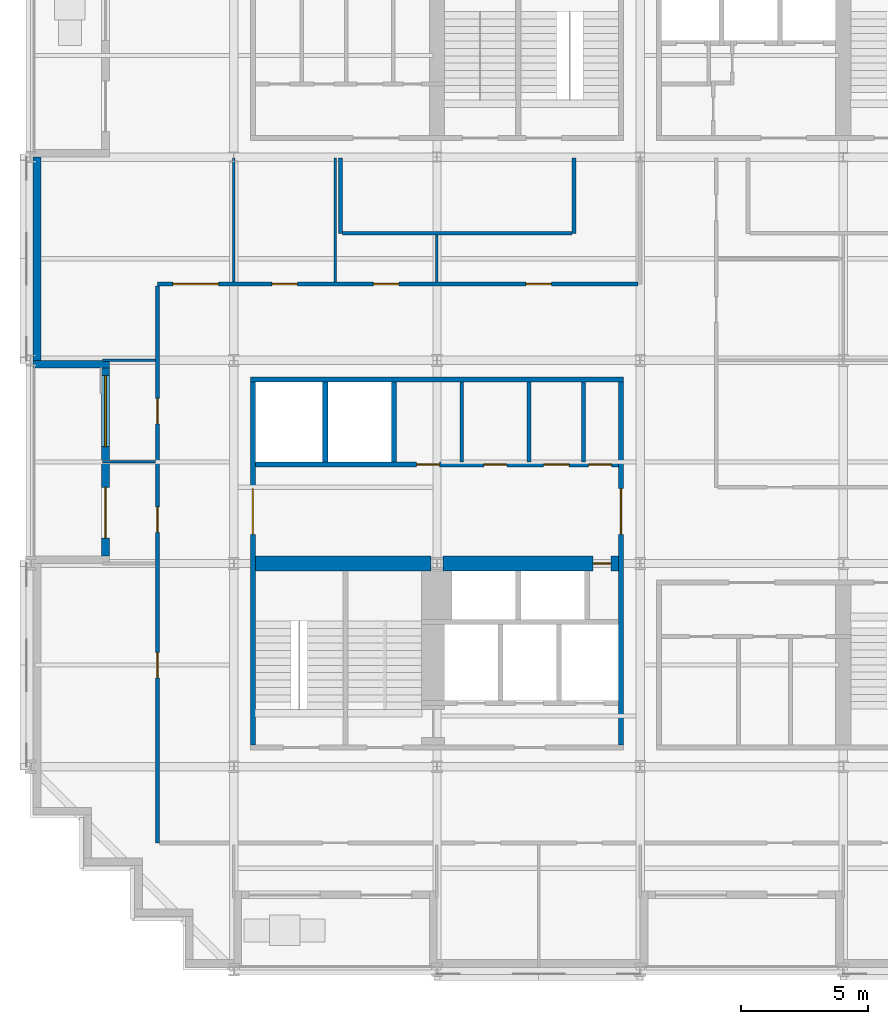
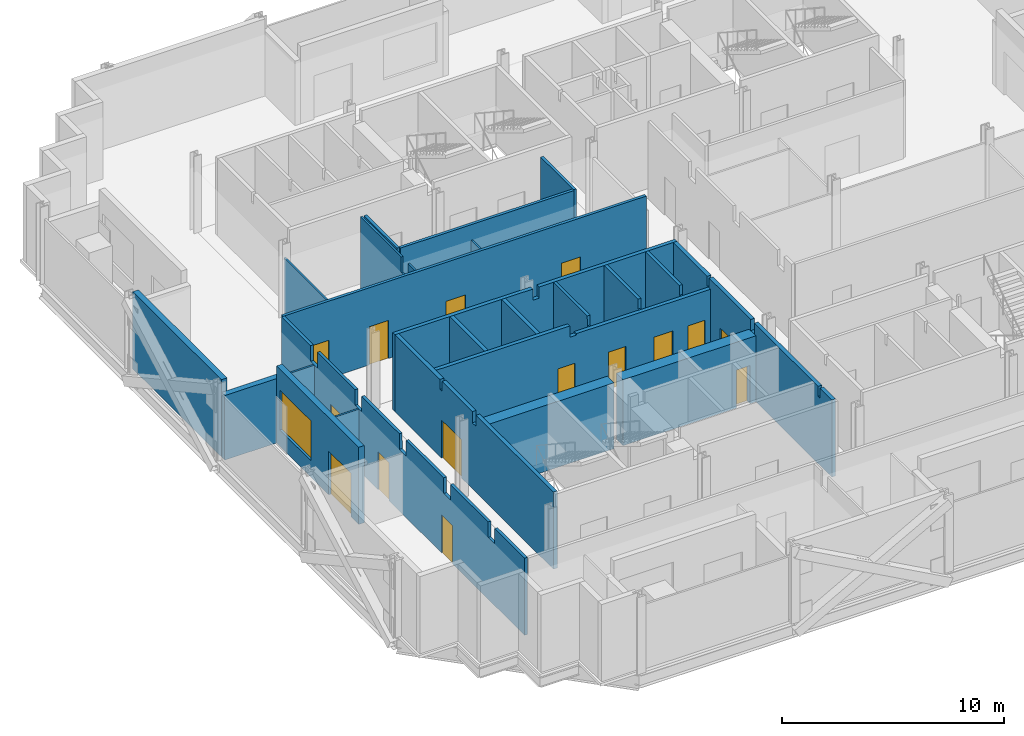
# One storey, part 6 of 13: 24 walls, 15 doors, 1 window, 16 openings.
"""IFC4 building model written with IfcOpenShell, lengths in metres."""

from ifc_helpers import new_model, si_unit, direction, frame, frame_2d, origin, place, context, subcontext, project, spatial, polyline, rectangle, outline, extrude, material, layer, layer_set, type_object, element, fill, save


model = new_model("IFC4")

# Units and contexts
model_context = context("Model", 3, precision=1e-05, world=origin(), true_north=direction((0.0, 1.0)))
body_context = subcontext(model_context, "Body", "Model", "MODEL_VIEW")
ifc_project = project(units=[si_unit("LENGTHUNIT", "METRE"), si_unit("AREAUNIT", "SQUARE_METRE"), si_unit("VOLUMEUNIT", "CUBIC_METRE"), si_unit("PLANEANGLEUNIT", "RADIAN"), si_unit("MASSUNIT", "GRAM", prefix="KILO")], contexts=[model_context])

# Site, building, storey
site_placement = place(None, origin())
site = spatial("IfcSite", under=ifc_project, at=site_placement, CompositionType="ELEMENT")
building_placement = place(site_placement, origin())
building = spatial("IfcBuilding", under=site, at=building_placement, Name="Immortelle Media Tower", CompositionType="ELEMENT")
storey_placement = place(building_placement, frame((0.0, 0.0, 56.800048828125)))
storey = spatial("IfcBuildingStorey", under=building, at=storey_placement, Name="L09", CompositionType="ELEMENT", Elevation=56.800048828125)

# Wall, opening, door
ifc_material_1 = material(Name="Fire-rated masonry blockwork", Category="masonry")
ifc_layer_1 = layer(ifc_material_1, 0.60009765625)
ifc_layer_set_1 = layer_set([ifc_layer_1], Name="Fire-rated masonry blockwork")
wall_type_1 = type_object("IfcWallType", Name="Core grid-line wall 600", PredefinedType="PARTITIONING", material=ifc_layer_set_1)
wall_1_placement = place(storey_placement, frame((16.237548828125, 16.0, 0.0), z_axis=(0.0, 0.0, 1.0), x_axis=(1.0, 0.0, 0.0)))
wall_1 = element("IfcWall", 1, at=wall_1_placement, inside=storey, type_object=wall_type_1, Name="Core grid-line wall SW", PredefinedType="PARTITIONING", context=body_context, shape_type="SweptSolid", body=[
    extrude(rectangle(XDim=6.912353515625, YDim=0.60009765625, at=frame_2d((3.4560546875, 0.0))), origin(), (0.0, 0.0, 1.0), 3.6318359375),
])
opening_1_placement = place(wall_1_placement, frame((6.612548828125, 0.0, 0.0), z_axis=(0.0, 0.0, 1.0), x_axis=(-1.0, 0.0, 0.0)))
opening_1 = element("IfcOpeningElement", 2, at=opening_1_placement, cuts=wall_1, Name="Opening N2-K015", PredefinedType="OPENING", context=body_context, shape_type="SweptSolid", body=[
    extrude(rectangle(XDim=0.699951171875, YDim=2.10009765625, at=frame_2d((0.35009765625, 1.050048828125))), frame((0.0, 0.31005859375, 0.0), z_axis=(0.0, -1.0, 0.0), x_axis=(1.0, 0.0, 0.0)), (0.0, 0.0, 1.0), 0.6201171875),
])
ifc_material_2 = material(Name="Galvanised steel door leaf and frame ASTM A653", Category="steel")
door_type_1 = type_object("IfcDoorType", Name="Service door 700 x 2100", OperationType="NOTDEFINED", PredefinedType="NOTDEFINED", material=ifc_material_2)
door_1_placement = place(opening_1_placement, origin())
door_1 = element("IfcDoor", 3, at=door_1_placement, inside=storey, type_object=door_type_1, Name="Service N2-K015", OperationType="SINGLE_SWING_RIGHT", OverallHeight=2.10009765625, OverallWidth=0.699951171875, PredefinedType="NOTDEFINED", context=body_context, shape_type="SweptSolid", body=[
    extrude(rectangle(XDim=0.699951171875, YDim=2.10009765625, at=frame_2d((0.35009765625, 1.050048828125))), frame((0.0, 0.02490234375, 0.0), z_axis=(0.0, -1.0, 0.0), x_axis=(1.0, 0.0, 0.0)), (0.0, 0.0, 1.0), 0.050048828125),
])
fill(opening_1, door_1)

# Walls
ifc_material_3 = material(Name="Fire-rated gypsum board", Category="gypsum")
ifc_layer_2 = layer(ifc_material_3, 0.02490234375)
ifc_material_4 = material(Name="Steel ASTM A653 SS Gr 50 stud frame with mineral wool", Category="steel")
ifc_layer_3 = layer(ifc_material_4, 0.10009765625)
ifc_layer_4 = layer(ifc_material_3, 0.02490234375)
ifc_layer_set_2 = layer_set([ifc_layer_2, ifc_layer_3, ifc_layer_4], Name="Steel ASTM A653 SS Gr 50 stud frame with mineral wool")
wall_type_2 = type_object("IfcWallType", Name="Core partition 150", PredefinedType="PARTITIONING", material=ifc_layer_set_2)
for number, where, z_axis, x_axis, name in (
    (4, (16.97509765625, 20.0, 0.0), (0.0, 0.0, 1.0), (0.0, 1.0, 0.0), "Core partition SW"),
    (5, (19.625, 20.0, 0.0), (0.0, 0.0, 1.0), (0.0, 1.0, 0.0), "Core partition SW"),
    (6, (21.77490234375, 20.0, 0.0), (0.0, 0.0, 1.0), (0.0, 1.0, 0.0), "Core partition SW"),
):
    element("IfcWall", number, at=place(storey_placement, frame(where, z_axis=z_axis, x_axis=x_axis)), inside=storey, type_object=wall_type_2, Name=name, PredefinedType="PARTITIONING", context=body_context, shape_type="SweptSolid", body=[
        extrude(outline(polyline([(0.0, 0.0), (3.14990234375, 0.0), (3.14990234375, 4.25), (0.08837890625, 4.25), (0.08740234375, 3.7080078125), (0.0, 3.7080078125), (0.0, 0.0)])), frame((0.0, 0.074951171875, 0.0), z_axis=(0.0, -1.0, 0.0), x_axis=(1.0, 0.0, 0.0)), (0.0, 0.0, 1.0), 0.14990234375),
    ])
ifc_layer_5 = layer(ifc_material_3, 0.03759765625)
ifc_layer_6 = layer(ifc_material_4, 0.125)
ifc_layer_7 = layer(ifc_material_3, 0.03759765625)
ifc_layer_set_3 = layer_set([ifc_layer_5, ifc_layer_6, ifc_layer_7], Name="Steel ASTM A653 SS Gr 50 stud frame with mineral wool")
wall_type_3 = type_object("IfcWallType", Name="Core shaft wall 200", PredefinedType="PARTITIONING", material=ifc_layer_set_3)
wall_2_placement = place(storey_placement, frame((8.64990234375, 23.25, 0.0), z_axis=(0.0, 0.0, 1.0), x_axis=(1.0, 0.0, 0.0)))
element("IfcWall", 7, at=wall_2_placement, inside=storey, type_object=wall_type_3, Name="Core shaft wall SW", PredefinedType="PARTITIONING", context=body_context, shape_type="SweptSolid", body=[
    extrude(outline(polyline([(0.0, 0.0), (14.7001953125, 0.0), (14.699951171875, 4.25), (7.51708984375, 4.25), (7.51611328125, 3.6318359375), (7.18408203125, 3.6318359375), (7.18310546875, 4.25), (0.0, 4.25), (0.0, 0.0)])), frame((0.0, 0.10009765625, 0.0), z_axis=(0.0, -1.0, 0.0), x_axis=(1.0, 0.0, 0.0)), (0.0, 0.0, 1.0), 0.199951171875),
])

# Wall, openings, doors
wall_3_placement = place(storey_placement, frame((8.85009765625, 19.89990234375, 0.0), z_axis=(0.0, 0.0, 1.0), x_axis=(1.0, 0.0, 0.0)))
wall_3 = element("IfcWall", 8, at=wall_3_placement, inside=storey, type_object=wall_type_3, Name="Core shaft wall SW", PredefinedType="PARTITIONING", context=body_context, shape_type="SweptSolid", body=[
    extrude(outline(polyline([(0.0, 0.0), (14.2998046875, 0.0), (14.300048828125, 3.7080078125), (7.31689453125, 3.7080078125), (7.31591796875, 3.6318359375), (6.98388671875, 3.6318359375), (6.98291015625, 4.25), (0.0, 4.25), (0.0, 0.0)])), frame((0.0, 0.10009765625, 0.0), z_axis=(0.0, -1.0, 0.0), x_axis=(1.0, 0.0, 0.0)), (0.0, 0.0, 1.0), 0.199951171875),
])
opening_2_placement = place(wall_3_placement, frame((6.35009765625, 0.0, 0.0)))
opening_2 = element("IfcOpeningElement", 9, at=opening_2_placement, cuts=wall_3, Name="Opening N2-K040", PredefinedType="OPENING", context=body_context, shape_type="SweptSolid", body=[
    extrude(rectangle(XDim=0.89990234375, YDim=2.10009765625, at=frame_2d((0.449951171875, 1.050048828125))), frame((0.0, 0.10986328125, 0.0), z_axis=(0.0, -1.0, 0.0), x_axis=(1.0, 0.0, 0.0)), (0.0, 0.0, 1.0), 0.219970703125),
])
opening_3_placement = place(wall_3_placement, frame((9.0, 0.0, 0.0)))
opening_3 = element("IfcOpeningElement", 10, at=opening_3_placement, cuts=wall_3, Name="Opening N2-K041", PredefinedType="OPENING", context=body_context, shape_type="SweptSolid", body=[
    extrude(rectangle(XDim=0.89990234375, YDim=2.10009765625, at=frame_2d((0.449951171875, 1.050048828125))), frame((0.0, 0.10986328125, 0.0), z_axis=(0.0, -1.0, 0.0), x_axis=(1.0, 0.0, 0.0)), (0.0, 0.0, 1.0), 0.219970703125),
])
opening_4_placement = place(wall_3_placement, frame((11.35009765625, 0.0, 0.0)))
opening_4 = element("IfcOpeningElement", 11, at=opening_4_placement, cuts=wall_3, Name="Opening N2-K042", PredefinedType="OPENING", context=body_context, shape_type="SweptSolid", body=[
    extrude(rectangle(XDim=1.0, YDim=2.10009765625, at=frame_2d((0.5, 1.050048828125))), frame((0.0, 0.10986328125, 0.0), z_axis=(0.0, -1.0, 0.0), x_axis=(1.0, 0.0, 0.0)), (0.0, 0.0, 1.0), 0.219970703125),
])
opening_5_placement = place(wall_3_placement, frame((13.125, 0.0, 0.0)))
opening_5 = element("IfcOpeningElement", 12, at=opening_5_placement, cuts=wall_3, Name="Opening N2-K043", PredefinedType="OPENING", context=body_context, shape_type="SweptSolid", body=[
    extrude(rectangle(XDim=0.89990234375, YDim=2.10009765625, at=frame_2d((0.449951171875, 1.050048828125))), frame((0.0, 0.10986328125, 0.0), z_axis=(0.0, -1.0, 0.0), x_axis=(1.0, 0.0, 0.0)), (0.0, 0.0, 1.0), 0.219970703125),
])
ifc_material_5 = material(Name="Timber", Category="wood")
door_type_2 = type_object("IfcDoorType", Name="Accessible toilet door 1000 x 2100", OperationType="NOTDEFINED", PredefinedType="NOTDEFINED", material=ifc_material_5)
door_2_placement = place(opening_4_placement, origin())
door_2 = element("IfcDoor", 13, at=door_2_placement, inside=storey, type_object=door_type_2, Name="Accessible toilet N2-K042", OperationType="SINGLE_SWING_LEFT", OverallHeight=2.10009765625, OverallWidth=1.0, PredefinedType="NOTDEFINED", context=body_context, shape_type="SweptSolid", body=[
    extrude(rectangle(XDim=1.0, YDim=2.10009765625, at=frame_2d((0.5, 1.050048828125))), frame((0.0, 0.02490234375, 0.0), z_axis=(0.0, -1.0, 0.0), x_axis=(1.0, 0.0, 0.0)), (0.0, 0.0, 1.0), 0.050048828125),
])
fill(opening_4, door_2)
door_type_3 = type_object("IfcDoorType", Name="Service door 900 x 2100", OperationType="NOTDEFINED", PredefinedType="NOTDEFINED", material=ifc_material_2)
door_3_placement = place(opening_5_placement, origin())
door_3 = element("IfcDoor", 14, at=door_3_placement, inside=storey, type_object=door_type_3, Name="Service N2-K043", OperationType="SINGLE_SWING_RIGHT", OverallHeight=2.10009765625, OverallWidth=0.89990234375, PredefinedType="NOTDEFINED", context=body_context, shape_type="SweptSolid", body=[
    extrude(rectangle(XDim=0.89990234375, YDim=2.10009765625, at=frame_2d((0.449951171875, 1.050048828125))), frame((0.0, 0.02490234375, 0.0), z_axis=(0.0, -1.0, 0.0), x_axis=(1.0, 0.0, 0.0)), (0.0, 0.0, 1.0), 0.050048828125),
])
fill(opening_5, door_3)
door_type_4 = type_object("IfcDoorType", Name="Toilet door 900 x 2100", OperationType="NOTDEFINED", PredefinedType="NOTDEFINED", material=ifc_material_5)
door_4_placement = place(opening_2_placement, origin())
door_4 = element("IfcDoor", 15, at=door_4_placement, inside=storey, type_object=door_type_4, Name="Toilet N2-K040", OperationType="SINGLE_SWING_RIGHT", OverallHeight=2.10009765625, OverallWidth=0.89990234375, PredefinedType="NOTDEFINED", context=body_context, shape_type="SweptSolid", body=[
    extrude(rectangle(XDim=0.89990234375, YDim=2.10009765625, at=frame_2d((0.449951171875, 1.050048828125))), frame((0.0, 0.02490234375, 0.0), z_axis=(0.0, -1.0, 0.0), x_axis=(1.0, 0.0, 0.0)), (0.0, 0.0, 1.0), 0.050048828125),
])
fill(opening_2, door_4)
door_5_placement = place(opening_3_placement, origin())
door_5 = element("IfcDoor", 16, at=door_5_placement, inside=storey, type_object=door_type_4, Name="Toilet N2-K041", OperationType="SINGLE_SWING_RIGHT", OverallHeight=2.10009765625, OverallWidth=0.89990234375, PredefinedType="NOTDEFINED", context=body_context, shape_type="SweptSolid", body=[
    extrude(rectangle(XDim=0.89990234375, YDim=2.10009765625, at=frame_2d((0.449951171875, 1.050048828125))), frame((0.0, 0.02490234375, 0.0), z_axis=(0.0, -1.0, 0.0), x_axis=(1.0, 0.0, 0.0)), (0.0, 0.0, 1.0), 0.050048828125),
])
fill(opening_3, door_5)

# Walls
for number, where, z_axis, x_axis, name in (
    (17, (11.60009765625, 20.0, 0.0), (0.0, 0.0, 1.0), (0.0, 1.0, 0.0), "Core shaft wall SW"),
    (18, (14.300048828125, 20.0, 0.0), (0.0, 0.0, 1.0), (0.0, 1.0, 0.0), "Core shaft wall SW"),
):
    element("IfcWall", number, at=place(storey_placement, frame(where, z_axis=z_axis, x_axis=x_axis)), inside=storey, type_object=wall_type_3, Name=name, PredefinedType="PARTITIONING", context=body_context, shape_type="SweptSolid", body=[
        extrude(rectangle(XDim=3.14990234375, YDim=0.199951171875, at=frame_2d((1.574951171875, 0.0))), origin(), (0.0, 0.0, 1.0), 4.25),
    ])

# Wall, opening, door
wall_4_placement = place(storey_placement, frame((23.25, 8.85009765625, 0.0), z_axis=(0.0, 0.0, 1.0), x_axis=(0.0, 1.0, 0.0)))
wall_4 = element("IfcWall", 19, at=wall_4_placement, inside=storey, type_object=wall_type_3, Name="Core shaft wall SW", PredefinedType="PARTITIONING", context=body_context, shape_type="SweptSolid", body=[
    extrude(outline(polyline([(0.0, 0.0), (14.2998046875, 0.0), (14.300048828125, 4.25), (11.238525390625, 4.25), (11.237548828125, 3.7080078125), (11.0625, 3.7080078125), (11.0615234375, 4.25), (7.31689453125, 4.25), (7.31591796875, 3.6318359375), (6.98388671875, 3.6318359375), (6.98291015625, 4.25), (1.238525390625, 4.25), (1.237548828125, 3.7080078125), (1.0625, 3.7080078125), (1.0615234375, 4.25), (0.0, 4.25), (0.0, 0.0)])), frame((0.0, 0.10009765625, 0.0), z_axis=(0.0, -1.0, 0.0), x_axis=(1.0, 0.0, 0.0)), (0.0, 0.0, 1.0), 0.199951171875),
])
opening_6_placement = place(wall_4_placement, frame((8.300048828125, 0.0, 0.0)))
opening_6 = element("IfcOpeningElement", 20, at=opening_6_placement, cuts=wall_4, Name="Opening N2-K016", PredefinedType="OPENING", context=body_context, shape_type="SweptSolid", body=[
    extrude(rectangle(XDim=1.800048828125, YDim=2.10009765625, at=frame_2d((0.89990234375, 1.050048828125))), frame((0.0, 0.10986328125, 0.0), z_axis=(0.0, -1.0, 0.0), x_axis=(1.0, 0.0, 0.0)), (0.0, 0.0, 1.0), 0.219970703125),
])
door_type_5 = type_object("IfcDoorType", Name="Lift lobby door 1800 x 2100", OperationType="DOUBLE_DOOR_SINGLE_SWING", PredefinedType="NOTDEFINED", material=ifc_material_2)
door_6_placement = place(opening_6_placement, origin())
door_6 = element("IfcDoor", 21, at=door_6_placement, inside=storey, type_object=door_type_5, Name="Lift lobby N2-K016", OperationType="DOUBLE_DOOR_SINGLE_SWING", OverallHeight=2.10009765625, OverallWidth=1.800048828125, PredefinedType="NOTDEFINED", context=body_context, shape_type="SweptSolid", body=[
    extrude(rectangle(XDim=1.800048828125, YDim=2.10009765625, at=frame_2d((0.89990234375, 1.050048828125))), frame((0.0, 0.02490234375, 0.0), z_axis=(0.0, -1.0, 0.0), x_axis=(1.0, 0.0, 0.0)), (0.0, 0.0, 1.0), 0.050048828125),
])
fill(opening_6, door_6)

# Wall, openings, doors
ifc_layer_8 = layer(ifc_material_3, 0.012451171875)
ifc_layer_9 = layer(ifc_material_4, 0.125)
ifc_layer_10 = layer(ifc_material_3, 0.012451171875)
ifc_layer_set_4 = layer_set([ifc_layer_8, ifc_layer_9, ifc_layer_10], Name="Steel ASTM A653 SS Gr 50 stud frame with mineral wool")
wall_type_4 = type_object("IfcWallType", Name="Corridor wall 150", PredefinedType="PARTITIONING", material=ifc_layer_set_4)
wall_5_placement = place(storey_placement, frame((5.0, 5.0, 0.0), z_axis=(0.0, 0.0, 1.0), x_axis=(0.0, 1.0, 0.0)))
wall_5 = element("IfcWall", 22, at=wall_5_placement, inside=storey, type_object=wall_type_4, Name="Partition L09-008", PredefinedType="PARTITIONING", context=body_context, shape_type="SweptSolid", body=[
    extrude(outline(polyline([(0.0, 0.0), (21.925048828125, 0.0), (21.925048828125, 4.25), (19.300048828125, 4.25), (19.298095703125, 3.390869140625), (18.701904296875, 3.390869140625), (18.699951171875, 4.25), (15.300048828125, 4.25), (15.298095703125, 3.390869140625), (14.701904296875, 3.390869140625), (14.699951171875, 4.25), (11.300048828125, 4.25), (11.298095703125, 3.390869140625), (10.701904296875, 3.390869140625), (10.699951171875, 4.25), (7.300048828125, 4.25), (7.298095703125, 3.390869140625), (6.701904296875, 3.390869140625), (6.699951171875, 4.25), (3.300048828125, 4.25), (3.298095703125, 3.390869140625), (2.701904296875, 3.390869140625), (2.699951171875, 4.25), (0.0, 4.25), (0.0, 0.0)])), frame((0.0, 0.074951171875, 0.0), z_axis=(0.0, -1.0, 0.0), x_axis=(1.0, 0.0, 0.0)), (0.0, 0.0, 1.0), 0.14990234375),
])
opening_7_placement = place(wall_5_placement, frame((6.5, 0.0, 0.0)))
opening_7 = element("IfcOpeningElement", 23, at=opening_7_placement, cuts=wall_5, Name="Opening N2-F007", PredefinedType="OPENING", context=body_context, shape_type="SweptSolid", body=[
    extrude(rectangle(XDim=1.0, YDim=2.10009765625, at=frame_2d((0.5, 1.050048828125))), frame((0.0, 0.0849609375, 0.0), z_axis=(0.0, -1.0, 0.0), x_axis=(1.0, 0.0, 0.0)), (0.0, 0.0, 1.0), 0.169921875),
])
opening_8_placement = place(wall_5_placement, frame((12.22509765625, 0.0, 0.0)))
opening_8 = element("IfcOpeningElement", 24, at=opening_8_placement, cuts=wall_5, Name="Opening N2-F009", PredefinedType="OPENING", context=body_context, shape_type="SweptSolid", body=[
    extrude(rectangle(XDim=1.0, YDim=2.10009765625, at=frame_2d((0.5, 1.050048828125))), frame((0.0, 0.0849609375, 0.0), z_axis=(0.0, -1.0, 0.0), x_axis=(1.0, 0.0, 0.0)), (0.0, 0.0, 1.0), 0.169921875),
])
opening_9_placement = place(wall_5_placement, frame((16.5, 0.0, 0.0)))
opening_9 = element("IfcOpeningElement", 25, at=opening_9_placement, cuts=wall_5, Name="Opening N2-F010", PredefinedType="OPENING", context=body_context, shape_type="SweptSolid", body=[
    extrude(rectangle(XDim=1.0, YDim=2.10009765625, at=frame_2d((0.5, 1.050048828125))), frame((0.0, 0.0849609375, 0.0), z_axis=(0.0, -1.0, 0.0), x_axis=(1.0, 0.0, 0.0)), (0.0, 0.0, 1.0), 0.169921875),
])
ifc_material_6 = material(Name="Timber veneered door leaf, galvanised steel frame ASTM A653", Category="steel")
door_type_6 = type_object("IfcDoorType", Name="Room door 1000 x 2100", OperationType="NOTDEFINED", PredefinedType="DOOR", material=ifc_material_6)
door_7_placement = place(opening_7_placement, origin())
door_7 = element("IfcDoor", 26, at=door_7_placement, inside=storey, type_object=door_type_6, Name="Door N2-F007", OperationType="SINGLE_SWING_RIGHT", OverallHeight=2.10009765625, OverallWidth=1.0, PredefinedType="DOOR", context=body_context, shape_type="SweptSolid", body=[
    extrude(rectangle(XDim=1.0, YDim=2.10009765625, at=frame_2d((0.5, 1.050048828125))), frame((0.0, 0.02490234375, 0.0), z_axis=(0.0, -1.0, 0.0), x_axis=(1.0, 0.0, 0.0)), (0.0, 0.0, 1.0), 0.050048828125),
])
fill(opening_7, door_7)
door_8_placement = place(opening_8_placement, origin())
door_8 = element("IfcDoor", 27, at=door_8_placement, inside=storey, type_object=door_type_6, Name="Door N2-F009", OperationType="SINGLE_SWING_LEFT", OverallHeight=2.10009765625, OverallWidth=1.0, PredefinedType="DOOR", context=body_context, shape_type="SweptSolid", body=[
    extrude(rectangle(XDim=1.0, YDim=2.10009765625, at=frame_2d((0.5, 1.050048828125))), frame((0.0, 0.02490234375, 0.0), z_axis=(0.0, -1.0, 0.0), x_axis=(1.0, 0.0, 0.0)), (0.0, 0.0, 1.0), 0.050048828125),
])
fill(opening_8, door_8)
door_9_placement = place(opening_9_placement, origin())
door_9 = element("IfcDoor", 28, at=door_9_placement, inside=storey, type_object=door_type_6, Name="Door N2-F010", OperationType="SINGLE_SWING_RIGHT", OverallHeight=2.10009765625, OverallWidth=1.0, PredefinedType="DOOR", context=body_context, shape_type="SweptSolid", body=[
    extrude(rectangle(XDim=1.0, YDim=2.10009765625, at=frame_2d((0.5, 1.050048828125))), frame((0.0, 0.02490234375, 0.0), z_axis=(0.0, -1.0, 0.0), x_axis=(1.0, 0.0, 0.0)), (0.0, 0.0, 1.0), 0.050048828125),
])
fill(opening_9, door_9)

wall_6_placement = place(storey_placement, frame((5.0, 27.0, 0.0), z_axis=(0.0, 0.0, 1.0), x_axis=(1.0, 0.0, 0.0)))
wall_6 = element("IfcWall", 29, at=wall_6_placement, inside=storey, type_object=wall_type_4, Name="Partition L09-022", PredefinedType="PARTITIONING", context=body_context, shape_type="SweptSolid", body=[
    extrude(rectangle(XDim=18.925048828125, YDim=0.14990234375, at=frame_2d((9.46240234375, 0.0))), origin(), (0.0, 0.0, 1.0), 4.25),
])
opening_10_placement = place(wall_6_placement, frame((14.5, 0.0, 0.0)))
opening_10 = element("IfcOpeningElement", 30, at=opening_10_placement, cuts=wall_6, Name="Opening N2-F015", PredefinedType="OPENING", context=body_context, shape_type="SweptSolid", body=[
    extrude(rectangle(XDim=1.0, YDim=2.10009765625, at=frame_2d((0.5, 1.050048828125))), frame((0.0, 0.0849609375, 0.0), z_axis=(0.0, -1.0, 0.0), x_axis=(1.0, 0.0, 0.0)), (0.0, 0.0, 1.0), 0.169921875),
])
opening_11_placement = place(wall_6_placement, frame((4.5, 0.0, 0.0)))
opening_11 = element("IfcOpeningElement", 31, at=opening_11_placement, cuts=wall_6, Name="Opening N2-F016", PredefinedType="OPENING", context=body_context, shape_type="SweptSolid", body=[
    extrude(rectangle(XDim=1.0, YDim=2.10009765625, at=frame_2d((0.5, 1.050048828125))), frame((0.0, 0.0849609375, 0.0), z_axis=(0.0, -1.0, 0.0), x_axis=(1.0, 0.0, 0.0)), (0.0, 0.0, 1.0), 0.169921875),
])
opening_12_placement = place(wall_6_placement, frame((8.5, 0.0, 0.0)))
opening_12 = element("IfcOpeningElement", 32, at=opening_12_placement, cuts=wall_6, Name="Opening N2-F017", PredefinedType="OPENING", context=body_context, shape_type="SweptSolid", body=[
    extrude(rectangle(XDim=1.0, YDim=2.10009765625, at=frame_2d((0.5, 1.050048828125))), frame((0.0, 0.0849609375, 0.0), z_axis=(0.0, -1.0, 0.0), x_axis=(1.0, 0.0, 0.0)), (0.0, 0.0, 1.0), 0.169921875),
])
opening_13_placement = place(wall_6_placement, frame((0.60009765625, 0.0, 0.0)))
opening_13 = element("IfcOpeningElement", 33, at=opening_13_placement, cuts=wall_6, Name="Opening N2-F019", PredefinedType="OPENING", context=body_context, shape_type="SweptSolid", body=[
    extrude(rectangle(XDim=1.800048828125, YDim=2.10009765625, at=frame_2d((0.89990234375, 1.050048828125))), frame((0.0, 0.0849609375, 0.0), z_axis=(0.0, -1.0, 0.0), x_axis=(1.0, 0.0, 0.0)), (0.0, 0.0, 1.0), 0.169921875),
])
door_10_placement = place(opening_10_placement, origin())
door_10 = element("IfcDoor", 34, at=door_10_placement, inside=storey, type_object=door_type_6, Name="Door N2-F015", OperationType="SINGLE_SWING_LEFT", OverallHeight=2.10009765625, OverallWidth=1.0, PredefinedType="DOOR", context=body_context, shape_type="SweptSolid", body=[
    extrude(rectangle(XDim=1.0, YDim=2.10009765625, at=frame_2d((0.5, 1.050048828125))), frame((0.0, 0.02490234375, 0.0), z_axis=(0.0, -1.0, 0.0), x_axis=(1.0, 0.0, 0.0)), (0.0, 0.0, 1.0), 0.050048828125),
])
fill(opening_10, door_10)
door_11_placement = place(opening_11_placement, origin())
door_11 = element("IfcDoor", 35, at=door_11_placement, inside=storey, type_object=door_type_6, Name="Door N2-F016", OperationType="SINGLE_SWING_LEFT", OverallHeight=2.10009765625, OverallWidth=1.0, PredefinedType="DOOR", context=body_context, shape_type="SweptSolid", body=[
    extrude(rectangle(XDim=1.0, YDim=2.10009765625, at=frame_2d((0.5, 1.050048828125))), frame((0.0, 0.02490234375, 0.0), z_axis=(0.0, -1.0, 0.0), x_axis=(1.0, 0.0, 0.0)), (0.0, 0.0, 1.0), 0.050048828125),
])
fill(opening_11, door_11)
door_12_placement = place(opening_12_placement, origin())
door_12 = element("IfcDoor", 36, at=door_12_placement, inside=storey, type_object=door_type_6, Name="Door N2-F017", OperationType="SINGLE_SWING_RIGHT", OverallHeight=2.10009765625, OverallWidth=1.0, PredefinedType="DOOR", context=body_context, shape_type="SweptSolid", body=[
    extrude(rectangle(XDim=1.0, YDim=2.10009765625, at=frame_2d((0.5, 1.050048828125))), frame((0.0, 0.02490234375, 0.0), z_axis=(0.0, -1.0, 0.0), x_axis=(1.0, 0.0, 0.0)), (0.0, 0.0, 1.0), 0.050048828125),
])
fill(opening_12, door_12)
door_type_7 = type_object("IfcDoorType", Name="Room door 1800 x 2100", OperationType="DOUBLE_DOOR_SINGLE_SWING", PredefinedType="DOOR", material=ifc_material_6)
door_13_placement = place(opening_13_placement, origin())
door_13 = element("IfcDoor", 37, at=door_13_placement, inside=storey, type_object=door_type_7, Name="Door N2-F019", OperationType="DOUBLE_DOOR_SINGLE_SWING", OverallHeight=2.10009765625, OverallWidth=1.800048828125, PredefinedType="DOOR", context=body_context, shape_type="SweptSolid", body=[
    extrude(rectangle(XDim=1.800048828125, YDim=2.10009765625, at=frame_2d((0.89990234375, 1.050048828125))), frame((0.0, 0.02490234375, 0.0), z_axis=(0.0, -1.0, 0.0), x_axis=(1.0, 0.0, 0.0)), (0.0, 0.0, 1.0), 0.050048828125),
])
fill(opening_13, door_13)

# Walls
wall_7_placement = place(storey_placement, frame((12.27490234375, 29.0, 0.0), z_axis=(0.0, 0.0, 1.0), x_axis=(1.0, 0.0, 0.0)))
element("IfcWall", 38, at=wall_7_placement, inside=storey, type_object=wall_type_4, Name="Partition L09-029", PredefinedType="PARTITIONING", context=body_context, shape_type="SweptSolid", body=[
    extrude(rectangle(XDim=9.050048828125, YDim=0.14990234375, at=frame_2d((4.52490234375, 0.0))), origin(), (0.0, 0.0, 1.0), 4.25),
])
for number, where, z_axis, x_axis, name in (
    (39, (12.199951171875, 29.0, 0.0), (0.0, 0.0, 1.0), (0.0, 1.0, 0.0), "Partition L09-030"),
    (40, (21.39990234375, 29.0, 0.0), (0.0, 0.0, 1.0), (0.0, 1.0, 0.0), "Partition L09-031"),
):
    element("IfcWall", number, at=place(storey_placement, frame(where, z_axis=z_axis, x_axis=x_axis)), inside=storey, type_object=wall_type_4, Name=name, PredefinedType="PARTITIONING", context=body_context, shape_type="SweptSolid", body=[
        extrude(rectangle(XDim=2.969970703125, YDim=0.14990234375, at=frame_2d((1.48486328125, 0.0))), origin(), (0.0, 0.0, 1.0), 4.25),
    ])
ifc_material_7 = material(Name="Pale aluminium cladding panel", Category="aluminium")
ifc_layer_11 = layer(ifc_material_7, 0.030029296875)
ifc_layer_12 = layer(ifc_material_4, 0.257568359375)
ifc_material_8 = material(Name="Moisture-resistant gypsum board", Category="gypsum")
ifc_layer_13 = layer(ifc_material_8, 0.012451171875)
ifc_layer_set_5 = layer_set([ifc_layer_11, ifc_layer_12, ifc_layer_13], Name="Steel ASTM A653 SS Gr 50 stud frame with mineral wool")
wall_type_5 = type_object("IfcWallType", Name="Facade wall 300", PredefinedType="SOLIDWALL", material=ifc_layer_set_5)
wall_8_placement = place(storey_placement, frame((0.25, 32.0, 0.0), z_axis=(0.0, 0.0, 1.0), x_axis=(0.0, -1.0, 0.0)))
element("IfcWall", 41, at=wall_8_placement, inside=storey, type_object=wall_type_5, Name="Facade wall L09 W0", PredefinedType="SOLIDWALL", context=body_context, shape_type="SweptSolid", body=[
    extrude(rectangle(XDim=8.0, YDim=0.300048828125, at=frame_2d((4.0, 0.0))), origin(), (0.0, 0.0, 1.0), 4.25),
])

# Wall, openings, door, window
wall_9_placement = place(storey_placement, frame((2.949951171875, 23.699951171875, 0.0), z_axis=(0.0, 0.0, 1.0), x_axis=(0.0, -1.0, 0.0)))
wall_9 = element("IfcWall", 42, at=wall_9_placement, inside=storey, type_object=wall_type_5, Name="Loggia wall L09 W0", PredefinedType="SOLIDWALL", context=body_context, shape_type="SweptSolid", body=[
    extrude(rectangle(XDim=7.39990234375, YDim=0.300048828125, at=frame_2d((3.699951171875, 0.0))), origin(), (0.0, 0.0, 1.0), 4.25),
])
opening_14_placement = place(wall_9_placement, frame((0.300048828125, 0.0, 0.89990234375)))
opening_14 = element("IfcOpeningElement", 43, at=opening_14_placement, cuts=wall_9, Name="Opening W1", PredefinedType="OPENING", context=body_context, shape_type="SweptSolid", body=[
    extrude(rectangle(XDim=2.800048828125, YDim=2.199951171875, at=frame_2d((1.39990234375, 1.10009765625))), frame((0.0, 0.159912109375, 0.0), z_axis=(0.0, -1.0, 0.0), x_axis=(1.0, 0.0, 0.0)), (0.0, 0.0, 1.0), 0.320068359375),
])
opening_15_placement = place(wall_9_placement, frame((4.699951171875, 0.0, 0.0)))
opening_15 = element("IfcOpeningElement", 44, at=opening_15_placement, cuts=wall_9, Name="Opening N2-E002", PredefinedType="OPENING", context=body_context, shape_type="SweptSolid", body=[
    extrude(rectangle(XDim=2.0, YDim=2.39990234375, at=frame_2d((1.0, 1.199951171875))), frame((0.0, 0.159912109375, 0.0), z_axis=(0.0, -1.0, 0.0), x_axis=(1.0, 0.0, 0.0)), (0.0, 0.0, 1.0), 0.320068359375),
])
ifc_material_9 = material(Name="Aluminium frame, glazed leaves", Category="aluminium")
door_type_8 = type_object("IfcDoorType", Name="Loggia door 2000 x 2400", OperationType="DOUBLE_DOOR_SINGLE_SWING", PredefinedType="DOOR", material=ifc_material_9)
door_14_placement = place(opening_15_placement, origin())
door_14 = element("IfcDoor", 45, at=door_14_placement, inside=storey, type_object=door_type_8, Name="Door N2-E002", OperationType="DOUBLE_DOOR_SINGLE_SWING", OverallHeight=2.39990234375, OverallWidth=2.0, PredefinedType="DOOR", context=body_context, shape_type="SweptSolid", body=[
    extrude(rectangle(XDim=2.0, YDim=2.39990234375, at=frame_2d((1.0, 1.199951171875))), frame((0.0, 0.02490234375, 0.0), z_axis=(0.0, -1.0, 0.0), x_axis=(1.0, 0.0, 0.0)), (0.0, 0.0, 1.0), 0.050048828125),
])
fill(opening_15, door_14)
ifc_material_10 = material(Name="Aluminium frame", Category="aluminium")
window_type = type_object("IfcWindowType", Name="Window 2800 x 2200", PartitioningType="SINGLE_PANEL", PredefinedType="WINDOW", material=ifc_material_10)
window_placement = place(opening_14_placement, origin())
window = element("IfcWindow", 46, at=window_placement, inside=storey, type_object=window_type, Name="Window L09 L09-R0-B2", OverallHeight=2.199951171875, OverallWidth=2.800048828125, PartitioningType="SINGLE_PANEL", PredefinedType="WINDOW", context=body_context, shape_type="SweptSolid", body=[
    extrude(rectangle(XDim=2.800048828125, YDim=2.199951171875, at=frame_2d((1.39990234375, 1.10009765625))), frame((0.0, 0.030029296875, 0.0), z_axis=(0.0, -1.0, 0.0), x_axis=(1.0, 0.0, 0.0)), (0.0, 0.0, 1.0), 0.06005859375),
])
fill(opening_14, window)

# Walls
wall_10_placement = place(storey_placement, frame((0.10009765625, 23.85009765625, 0.0), z_axis=(0.0, 0.0, 1.0), x_axis=(1.0, 0.0, 0.0)))
element("IfcWall", 47, at=wall_10_placement, inside=storey, type_object=wall_type_5, Name="Loggia cheek wall L09 W", PredefinedType="SOLIDWALL", context=body_context, shape_type="SweptSolid", body=[
    extrude(rectangle(XDim=3.0, YDim=0.300048828125, at=frame_2d((1.5, 0.0))), origin(), (0.0, 0.0, 1.0), 3.552978515625),
])
ifc_material_11 = material(Name="Gypsum board", Category="gypsum")
ifc_layer_14 = layer(ifc_material_11, 0.012451171875)
ifc_layer_15 = layer(ifc_material_4, 0.074951171875)
ifc_layer_16 = layer(ifc_material_11, 0.012451171875)
ifc_layer_set_6 = layer_set([ifc_layer_14, ifc_layer_15, ifc_layer_16], Name="Steel ASTM A653 SS Gr 50 stud frame with mineral wool")
wall_type_6 = type_object("IfcWallType", Name="Partition 100", PredefinedType="PARTITIONING", material=ifc_layer_set_6)
for number, where, z_axis, x_axis, name in (
    (48, (2.830078125, 20.0, 0.0), (0.0, 0.0, 1.0), (1.0, 0.0, 0.0), "Partition L09-016"),
    (49, (2.830078125, 24.0, 0.0), (0.0, 0.0, 1.0), (1.0, 0.0, 0.0), "Partition L09-017"),
):
    element("IfcWall", number, at=place(storey_placement, frame(where, z_axis=z_axis, x_axis=x_axis)), inside=storey, type_object=wall_type_6, Name=name, PredefinedType="PARTITIONING", context=body_context, shape_type="SweptSolid", body=[
        extrude(rectangle(XDim=2.094970703125, YDim=0.10009765625, at=frame_2d((1.04736328125, 0.0))), origin(), (0.0, 0.0, 1.0), 3.390869140625),
    ])
wall_11_placement = place(storey_placement, frame((8.0, 27.074951171875, 0.0), z_axis=(0.0, 0.0, 1.0), x_axis=(0.0, 1.0, 0.0)))
element("IfcWall", 50, at=wall_11_placement, inside=storey, type_object=wall_type_6, Name="Partition L09-023", PredefinedType="PARTITIONING", context=body_context, shape_type="SweptSolid", body=[
    extrude(rectangle(XDim=4.89501953125, YDim=0.10009765625, at=frame_2d((2.447509765625, 0.0))), origin(), (0.0, 0.0, 1.0), 3.390869140625),
])
wall_12_placement = place(storey_placement, frame((12.0, 27.074951171875, 0.0), z_axis=(0.0, 0.0, 1.0), x_axis=(0.0, 1.0, 0.0)))
element("IfcWall", 51, at=wall_12_placement, inside=storey, type_object=wall_type_6, Name="Partition L09-024", PredefinedType="PARTITIONING", context=body_context, shape_type="SweptSolid", body=[
    extrude(outline(polyline([(0.0, 0.0), (4.89501953125, 0.0), (4.89501953125, 4.25), (1.22509765625, 4.25), (1.222900390625, 3.390869140625), (0.626953125, 3.390869140625), (0.625, 4.25), (0.0, 4.25), (0.0, 0.0)])), frame((0.0, 0.050048828125, 0.0), z_axis=(0.0, -1.0, 0.0), x_axis=(1.0, 0.0, 0.0)), (0.0, 0.0, 1.0), 0.10009765625),
])
wall_13_placement = place(storey_placement, frame((16.0, 27.074951171875, 0.0), z_axis=(0.0, 0.0, 1.0), x_axis=(0.0, 1.0, 0.0)))
element("IfcWall", 52, at=wall_13_placement, inside=storey, type_object=wall_type_6, Name="Partition L09-025", PredefinedType="PARTITIONING", context=body_context, shape_type="SweptSolid", body=[
    extrude(rectangle(XDim=1.85009765625, YDim=0.10009765625, at=frame_2d((0.925048828125, 0.0))), origin(), (0.0, 0.0, 1.0), 3.390869140625),
])

# Wall, opening, door
ifc_material_12 = material(Name="Concrete C60", Category="concrete")
ifc_layer_17 = layer(ifc_material_12, 0.199951171875)
ifc_layer_set_7 = layer_set([ifc_layer_17], Name="Concrete C60")
wall_type_7 = type_object("IfcWallType", Name="Stair shaft wall 200", PredefinedType="PARTITIONING", material=ifc_layer_set_7)
wall_14_placement = place(storey_placement, frame((8.75, 8.85009765625, 0.0), z_axis=(0.0, 0.0, 1.0), x_axis=(0.0, 1.0, 0.0)))
wall_14 = element("IfcWall", 53, at=wall_14_placement, inside=storey, type_object=wall_type_7, Name="Stair shaft wall SW", PredefinedType="PARTITIONING", context=body_context, shape_type="SweptSolid", body=[
    extrude(outline(polyline([(0.0, 0.0), (14.2998046875, 0.0), (14.300048828125, 4.25), (10.238525390625, 4.25), (10.237548828125, 3.7080078125), (10.0625, 3.7080078125), (10.0615234375, 4.25), (7.31689453125, 4.25), (7.31591796875, 3.6318359375), (6.98388671875, 3.6318359375), (6.98291015625, 4.25), (0.0, 4.25), (0.0, 0.0)])), frame((0.0, 0.10009765625, 0.0), z_axis=(0.0, -1.0, 0.0), x_axis=(1.0, 0.0, 0.0)), (0.0, 0.0, 1.0), 0.199951171875),
])
opening_16_placement = place(wall_14_placement, frame((8.300048828125, 0.0, 0.0)))
opening_16 = element("IfcOpeningElement", 54, at=opening_16_placement, cuts=wall_14, Name="Opening N2-K001", PredefinedType="OPENING", context=body_context, shape_type="SweptSolid", body=[
    extrude(rectangle(XDim=1.800048828125, YDim=2.10009765625, at=frame_2d((0.89990234375, 1.050048828125))), frame((0.0, 0.10986328125, 0.0), z_axis=(0.0, -1.0, 0.0), x_axis=(1.0, 0.0, 0.0)), (0.0, 0.0, 1.0), 0.219970703125),
])
door_15_placement = place(opening_16_placement, origin())
door_15 = element("IfcDoor", 55, at=door_15_placement, inside=storey, type_object=door_type_5, Name="Lift lobby N2-K001", OperationType="DOUBLE_DOOR_SINGLE_SWING", OverallHeight=2.10009765625, OverallWidth=1.800048828125, PredefinedType="NOTDEFINED", context=body_context, shape_type="SweptSolid", body=[
    extrude(rectangle(XDim=1.800048828125, YDim=2.10009765625, at=frame_2d((0.89990234375, 1.050048828125))), frame((0.0, 0.02490234375, 0.0), z_axis=(0.0, -1.0, 0.0), x_axis=(1.0, 0.0, 0.0)), (0.0, 0.0, 1.0), 0.050048828125),
])
fill(opening_16, door_15)

# Wall
ifc_layer_18 = layer(ifc_material_12, 0.60009765625)
ifc_layer_set_8 = layer_set([ifc_layer_18], Name="Concrete C60")
wall_type_8 = type_object("IfcWallType", Name="Stair shaft wall 600", PredefinedType="PARTITIONING", material=ifc_layer_set_8)
wall_15_placement = place(storey_placement, frame((8.85009765625, 16.0, 0.0), z_axis=(0.0, 0.0, 1.0), x_axis=(1.0, 0.0, 0.0)))
element("IfcWall", 56, at=wall_15_placement, inside=storey, type_object=wall_type_8, Name="Stair shaft wall SW", PredefinedType="PARTITIONING", context=body_context, shape_type="SweptSolid", body=[
    extrude(rectangle(XDim=6.912353515625, YDim=0.60009765625, at=frame_2d((3.4560546875, 0.0))), origin(), (0.0, 0.0, 1.0), 3.6318359375),
])

save(model, "model.ifc")
